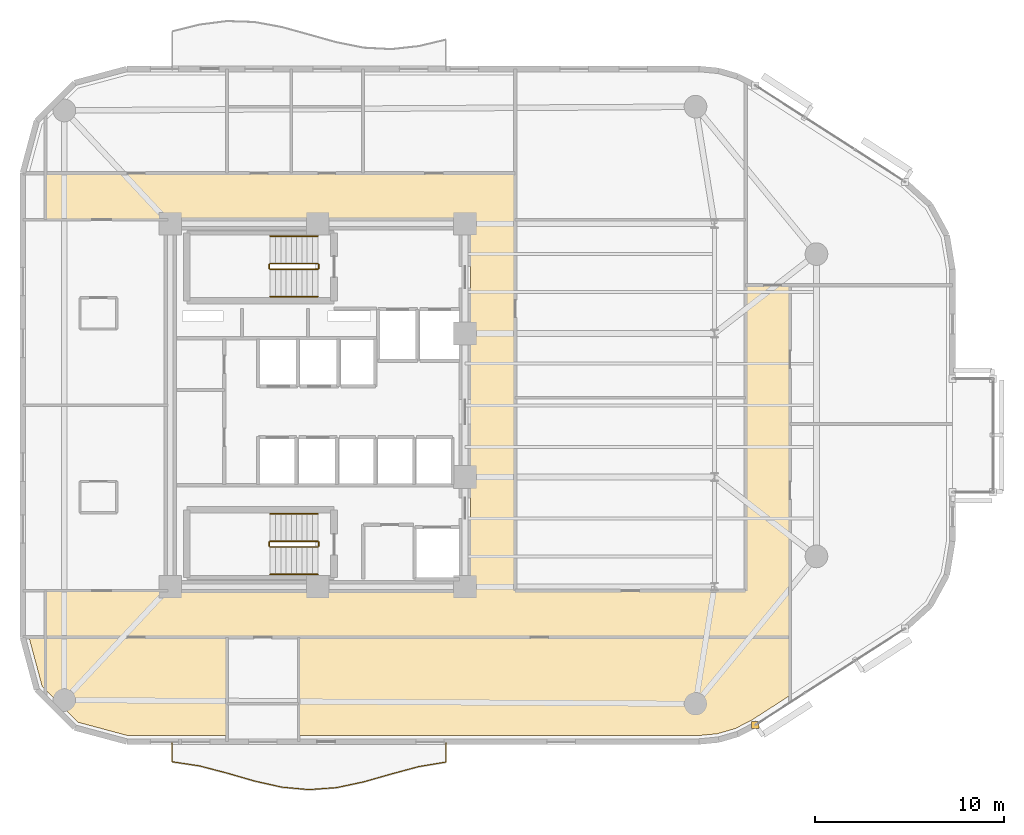
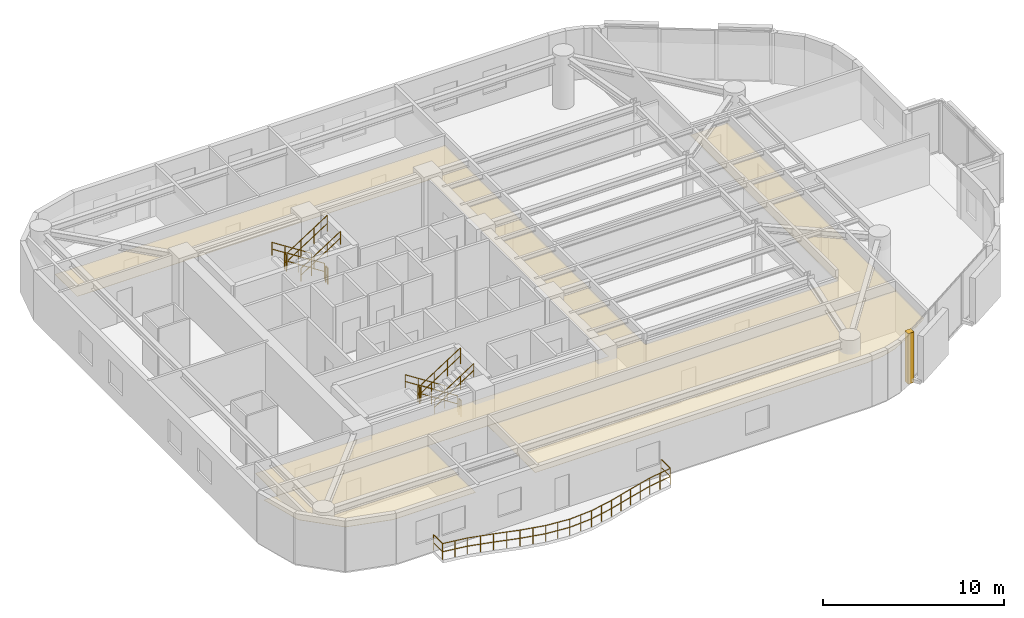
# One storey, part 15 of 16: 13 railings, 4 coverings.
"""IFC4 building model written with IfcOpenShell, lengths in metres."""

from ifc_helpers import new_model, si_unit, direction, frame, origin, origin_2d, place, context, subcontext, project, spatial, polyline, rectangle, circle, outline, extrude, material, layer, layer_set, type_object, element, save


model = new_model("IFC4")

# Units and contexts
model_context = context("Model", 3, precision=1e-05, world=origin(), true_north=direction((0.0, 1.0)))
body_context = subcontext(model_context, "Body", "Model", "MODEL_VIEW")
ifc_project = project(units=[si_unit("LENGTHUNIT", "METRE"), si_unit("AREAUNIT", "SQUARE_METRE"), si_unit("VOLUMEUNIT", "CUBIC_METRE"), si_unit("PLANEANGLEUNIT", "RADIAN"), si_unit("MASSUNIT", "GRAM", prefix="KILO")], contexts=[model_context])

# Site, building, storey
site_placement = place(None, origin())
site = spatial("IfcSite", under=ifc_project, at=site_placement, CompositionType="ELEMENT")
building_placement = place(site_placement, origin())
building = spatial("IfcBuilding", under=site, at=building_placement, Name="An Khanh Terracotta Commons", CompositionType="ELEMENT")
storey_placement = place(building_placement, frame((0.0, 0.0, 172.60009765625)))
storey = spatial("IfcBuildingStorey", under=building, at=storey_placement, Name="L45", CompositionType="ELEMENT", Elevation=172.60009765625)

# Coverings
ifc_material_1 = material(Name="Perforated Mineral-Fibre Acoustic Tile")
ifc_layer_1 = layer(ifc_material_1, 0.02001953125, Name="Perforated Mineral-Fibre Acoustic Tile")
ifc_layer_set_1 = layer_set([ifc_layer_1], Name="Perforated Mineral-Fibre Acoustic Tile")
covering_type_1 = type_object("IfcCoveringType", Name="CEIL-ACOUSTIC-18", PredefinedType="CEILING", material=ifc_layer_set_1)
covering_1_placement = place(storey_placement, frame((0.0, 0.0, 2.64990234375)))
element("IfcCovering", 1, at=covering_1_placement, inside=storey, type_object=covering_type_1, Name="L45 Corridor Ceiling", PredefinedType="CEILING", context=body_context, shape_type="SweptSolid", body=[
    extrude(outline(polyline([(52.050048828125, 30.35009765625), (54.39990234375, 30.35009765625), (54.39990234375, 14.179931640625), (54.39990234375, 11.719970703125), (52.050048828125, 11.719970703125), (39.85009765625, 11.719970703125), (37.5, 11.719970703125), (15.0, 11.719970703125), (15.0, 14.179931640625), (37.5, 14.179931640625), (37.5, 33.820068359375), (15.0, 33.820068359375), (15.0, 36.280029296875), (37.5, 36.280029296875), (39.85009765625, 36.280029296875), (39.85009765625, 33.820068359375), (39.85009765625, 14.179931640625), (52.050048828125, 14.179931640625), (52.050048828125, 30.35009765625)])), origin(), (0.0, 0.0, 1.0), 0.02001953125),
])
covering_2_placement = place(storey_placement, frame((0.0, 0.0, 2.64990234375)))
element("IfcCovering", 2, at=covering_2_placement, inside=storey, type_object=covering_type_1, Name="L45 Academic Seminar Room Ceiling", PredefinedType="CEILING", context=body_context, shape_type="SweptSolid", body=[
    extrude(outline(polyline([(19.342041015625, 6.52001953125), (16.716064453125, 7.22412109375), (14.823974609375, 9.115966796875), (14.1259765625, 11.719970703125), (15.0, 11.719970703125), (24.60009765625, 11.719970703125), (24.60009765625, 8.199951171875), (24.60009765625, 6.52001953125), (19.342041015625, 6.52001953125)])), origin(), (0.0, 0.0, 1.0), 0.02001953125),
])
covering_3_placement = place(storey_placement, frame((0.0, 0.0, 2.64990234375)))
element("IfcCovering", 3, at=covering_3_placement, inside=storey, type_object=covering_type_1, Name="L45 Academic Seminar Room Ceiling", PredefinedType="CEILING", context=body_context, shape_type="SweptSolid", body=[
    extrude(outline(polyline([(52.39892578125, 7.35302734375), (51.510009765625, 6.89306640625), (50.56396484375, 6.615966796875), (49.56689453125, 6.52001953125), (28.39990234375, 6.52001953125), (28.39990234375, 8.199951171875), (28.39990234375, 11.719970703125), (37.5, 11.719970703125), (39.85009765625, 11.719970703125), (52.050048828125, 11.719970703125), (54.39990234375, 11.719970703125), (54.39990234375, 8.64208984375), (52.39892578125, 7.35302734375)])), origin(), (0.0, 0.0, 1.0), 0.02001953125),
])
ifc_material_2 = material(Name="Fired Terracotta Rainscreen Cladding", Category="masonry")
ifc_layer_2 = layer(ifc_material_2, 0.080078125, Name="Fired Terracotta Rainscreen Cladding")
ifc_layer_set_2 = layer_set([ifc_layer_2], Name="Fired Terracotta Rainscreen Cladding")
covering_type_2 = type_object("IfcCoveringType", Name="COV-JAMB-TERRA", PredefinedType="CLADDING", material=ifc_layer_set_2)
covering_4_placement = place(storey_placement, frame((52.56005859375, 7.075927734375, 0.0), z_axis=(0.0, 0.0, 1.0), x_axis=(1.0, 0.0, 0.0)))
element("IfcCovering", 4, at=covering_4_placement, inside=storey, type_object=covering_type_2, Name="L45 CW-03 Curtain-Wall Jamb Closure JA", PredefinedType="CLADDING", context=body_context, shape_type="SweptSolid", body=[
    extrude(rectangle(XDim=0.3798828125, YDim=0.3798828125, at=origin_2d()), origin(), (0.0, 0.0, 1.0), 3.39990234375),
])

# Railings
ifc_material_3 = material(Name="Brushed Stainless Steel 316", Category="steel")
railing_type_1 = type_object("IfcRailingType", Name="RAIL-BALUSTRADE-1100", PredefinedType="BALUSTRADE", material=ifc_material_3)
railing_1_placement = place(storey_placement, frame((21.699951171875, 6.139892578125, 0.0)))
element("IfcRailing", 5, at=railing_1_placement, inside=storey, type_object=railing_type_1, Name="L45 S Wave Balcony Guard Balustrade", PredefinedType="BALUSTRADE", context=body_context, shape_type="SweptSolid", body=[
    extrude(circle(Radius=0.02392578125, at=origin_2d()), frame((0.0, 0.0, 1.076171875), z_axis=(0.0, -1.0, 0.0), x_axis=(1.0, 0.0, 0.0)), (0.0, 0.0, 1.0), 1.005859375),
    extrude(circle(Radius=0.02392578125, at=origin_2d()), frame((0.0, 0.0, 0.52587890625), z_axis=(0.0, -1.0, 0.0), x_axis=(1.0, 0.0, 0.0)), (0.0, 0.0, 1.0), 1.005859375),
    extrude(circle(Radius=0.02392578125, at=origin_2d()), frame((0.0, -1.005859375, 1.076171875), z_axis=(0.988785638282, -0.149341760825, 0.0), x_axis=(0.149341760825, 0.988785638282, 0.0)), (0.0, 0.0, 1.0), 1.46630859375),
    extrude(circle(Radius=0.02392578125, at=origin_2d()), frame((0.0, -1.005859375, 0.52587890625), z_axis=(0.988785638282, -0.149341760825, 0.0), x_axis=(0.149341760825, 0.988785638282, 0.0)), (0.0, 0.0, 1.0), 1.46630859375),
    extrude(circle(Radius=0.02392578125, at=origin_2d()), frame((1.449951171875, -1.224853515625, 1.076171875), z_axis=(0.967679523203, -0.252183148471, 0.0), x_axis=(0.252183148471, 0.967679523203, 0.0)), (0.0, 0.0, 1.0), 1.49853515625),
    extrude(circle(Radius=0.02392578125, at=origin_2d()), frame((1.449951171875, -1.224853515625, 0.52587890625), z_axis=(0.967679523203, -0.252183148471, 0.0), x_axis=(0.252183148471, 0.967679523203, 0.0)), (0.0, 0.0, 1.0), 1.49853515625),
    extrude(circle(Radius=0.02392578125, at=origin_2d()), frame((2.900146484375, -1.602783203125, 1.076171875), z_axis=(0.960658574366, -0.277732071424, 0.0), x_axis=(0.277732071424, 0.960658574366, 0.0)), (0.0, 0.0, 1.0), 1.50927734375),
    extrude(circle(Radius=0.02392578125, at=origin_2d()), frame((2.900146484375, -1.602783203125, 0.52587890625), z_axis=(0.960658574366, -0.277732071424, 0.0), x_axis=(0.277732071424, 0.960658574366, 0.0)), (0.0, 0.0, 1.0), 1.50927734375),
    extrude(circle(Radius=0.02392578125, at=origin_2d()), frame((4.35009765625, -2.02197265625, 1.076171875), z_axis=(0.975654592471, -0.219312827235, 0.0), x_axis=(0.219312827235, 0.975654592471, 0.0)), (0.0, 0.0, 1.0), 1.486083984375),
    extrude(circle(Radius=0.02392578125, at=origin_2d()), frame((4.35009765625, -2.02197265625, 0.52587890625), z_axis=(0.975654592471, -0.219312827235, 0.0), x_axis=(0.219312827235, 0.975654592471, 0.0)), (0.0, 0.0, 1.0), 1.486083984375),
    extrude(circle(Radius=0.02392578125, at=origin_2d()), frame((5.800048828125, -2.347900390625, 1.076171875), z_axis=(0.99587669641, -0.090717173389, 0.0), x_axis=(0.090717173389, 0.99587669641, 0.0)), (0.0, 0.0, 1.0), 1.4560546875),
    extrude(circle(Radius=0.02392578125, at=origin_2d()), frame((5.800048828125, -2.347900390625, 0.52587890625), z_axis=(0.99587669641, -0.090717173389, 0.0), x_axis=(0.090717173389, 0.99587669641, 0.0)), (0.0, 0.0, 1.0), 1.4560546875),
    extrude(circle(Radius=0.02392578125, at=origin_2d()), frame((7.25, -2.47998046875, 1.076171875), z_axis=(0.997389180348, 0.072213730855, 0.0), x_axis=(-0.072213730855, 0.997389180348, 0.0)), (0.0, 0.0, 1.0), 1.453857421875),
    extrude(circle(Radius=0.02392578125, at=origin_2d()), frame((7.25, -2.47998046875, 0.52587890625), z_axis=(0.997389180348, 0.072213730855, 0.0), x_axis=(-0.072213730855, 0.997389180348, 0.0)), (0.0, 0.0, 1.0), 1.453857421875),
    extrude(circle(Radius=0.02392578125, at=origin_2d()), frame((8.699951171875, -2.375, 1.076171875), z_axis=(0.978033134258, 0.20844948619, 0.0), x_axis=(-0.20844948619, 0.978033134258, 0.0)), (0.0, 0.0, 1.0), 1.482666015625),
    extrude(circle(Radius=0.02392578125, at=origin_2d()), frame((8.699951171875, -2.375, 0.52587890625), z_axis=(0.978033134258, 0.20844948619, 0.0), x_axis=(-0.20844948619, 0.978033134258, 0.0)), (0.0, 0.0, 1.0), 1.482666015625),
    extrude(circle(Radius=0.02392578125, at=origin_2d()), frame((10.150146484375, -2.06591796875, 1.076171875), z_axis=(0.961560597076, 0.274592822469, 0.0), x_axis=(-0.274592822469, 0.961560597076, 0.0)), (0.0, 0.0, 1.0), 1.5078125),
    extrude(circle(Radius=0.02392578125, at=origin_2d()), frame((10.150146484375, -2.06591796875, 0.52587890625), z_axis=(0.961560597076, 0.274592822469, 0.0), x_axis=(-0.274592822469, 0.961560597076, 0.0)), (0.0, 0.0, 1.0), 1.5078125),
    extrude(circle(Radius=0.02392578125, at=origin_2d()), frame((11.60009765625, -1.65185546875, 1.076171875), z_axis=(0.965695780399, 0.259676066896, 0.0), x_axis=(-0.259676066896, 0.965695780399, 0.0)), (0.0, 0.0, 1.0), 1.50146484375),
    extrude(circle(Radius=0.02392578125, at=origin_2d()), frame((11.60009765625, -1.65185546875, 0.52587890625), z_axis=(0.965695780399, 0.259676066896, 0.0), x_axis=(-0.259676066896, 0.965695780399, 0.0)), (0.0, 0.0, 1.0), 1.50146484375),
    extrude(circle(Radius=0.02392578125, at=origin_2d()), frame((13.050048828125, -1.261962890625, 1.076171875), z_axis=(0.986335510071, 0.164749086713, 0.0), x_axis=(-0.164749086713, 0.986335510071, 0.0)), (0.0, 0.0, 1.0), 1.469970703125),
    extrude(circle(Radius=0.02392578125, at=origin_2d()), frame((13.050048828125, -1.261962890625, 0.52587890625), z_axis=(0.986335510071, 0.164749086713, 0.0), x_axis=(-0.164749086713, 0.986335510071, 0.0)), (0.0, 0.0, 1.0), 1.469970703125),
    extrude(circle(Radius=0.02392578125, at=origin_2d()), frame((14.5, -1.019775390625, 1.076171875), z_axis=(0.0, 1.0, 0.0), x_axis=(-1.0, 0.0, 0.0)), (0.0, 0.0, 1.0), 1.019775390625),
    extrude(circle(Radius=0.02392578125, at=origin_2d()), frame((14.5, -1.019775390625, 0.52587890625), z_axis=(0.0, 1.0, 0.0), x_axis=(-1.0, 0.0, 0.0)), (0.0, 0.0, 1.0), 1.019775390625),
    extrude(circle(Radius=0.02099609375, at=origin_2d()), origin(), (0.0, 0.0, 1.0), 1.052001953125),
    extrude(circle(Radius=0.02099609375, at=origin_2d()), frame((0.0, -1.005859375, 0.0)), (0.0, 0.0, 1.0), 1.052001953125),
    extrude(circle(Radius=0.02099609375, at=origin_2d()), frame((0.72509765625, -1.115234375, 0.0)), (0.0, 0.0, 1.0), 1.052001953125),
    extrude(circle(Radius=0.02099609375, at=origin_2d()), frame((1.449951171875, -1.224853515625, 0.0)), (0.0, 0.0, 1.0), 1.052001953125),
    extrude(circle(Radius=0.02099609375, at=origin_2d()), frame((2.175048828125, -1.413818359375, 0.0)), (0.0, 0.0, 1.0), 1.052001953125),
    extrude(circle(Radius=0.02099609375, at=origin_2d()), frame((2.900146484375, -1.602783203125, 0.0)), (0.0, 0.0, 1.0), 1.052001953125),
    extrude(circle(Radius=0.02099609375, at=origin_2d()), frame((3.625, -1.8125, 0.0)), (0.0, 0.0, 1.0), 1.052001953125),
    extrude(circle(Radius=0.02099609375, at=origin_2d()), frame((4.35009765625, -2.02197265625, 0.0)), (0.0, 0.0, 1.0), 1.052001953125),
    extrude(circle(Radius=0.02099609375, at=origin_2d()), frame((5.0751953125, -2.18505859375, 0.0)), (0.0, 0.0, 1.0), 1.052001953125),
    extrude(circle(Radius=0.02099609375, at=origin_2d()), frame((5.800048828125, -2.347900390625, 0.0)), (0.0, 0.0, 1.0), 1.052001953125),
    extrude(circle(Radius=0.02099609375, at=origin_2d()), frame((6.52490234375, -2.4140625, 0.0)), (0.0, 0.0, 1.0), 1.052001953125),
    extrude(circle(Radius=0.02099609375, at=origin_2d()), frame((7.25, -2.47998046875, 0.0)), (0.0, 0.0, 1.0), 1.052001953125),
    extrude(circle(Radius=0.02099609375, at=origin_2d()), frame((7.97509765625, -2.427490234375, 0.0)), (0.0, 0.0, 1.0), 1.052001953125),
    extrude(circle(Radius=0.02099609375, at=origin_2d()), frame((8.699951171875, -2.375, 0.0)), (0.0, 0.0, 1.0), 1.052001953125),
    extrude(circle(Radius=0.02099609375, at=origin_2d()), frame((9.425048828125, -2.220458984375, 0.0)), (0.0, 0.0, 1.0), 1.052001953125),
    extrude(circle(Radius=0.02099609375, at=origin_2d()), frame((10.150146484375, -2.06591796875, 0.0)), (0.0, 0.0, 1.0), 1.052001953125),
    extrude(circle(Radius=0.02099609375, at=origin_2d()), frame((10.875, -1.85888671875, 0.0)), (0.0, 0.0, 1.0), 1.052001953125),
    extrude(circle(Radius=0.02099609375, at=origin_2d()), frame((11.60009765625, -1.65185546875, 0.0)), (0.0, 0.0, 1.0), 1.052001953125),
    extrude(circle(Radius=0.02099609375, at=origin_2d()), frame((12.3251953125, -1.45703125, 0.0)), (0.0, 0.0, 1.0), 1.052001953125),
    extrude(circle(Radius=0.02099609375, at=origin_2d()), frame((13.050048828125, -1.261962890625, 0.0)), (0.0, 0.0, 1.0), 1.052001953125),
    extrude(circle(Radius=0.02099609375, at=origin_2d()), frame((13.77490234375, -1.140869140625, 0.0)), (0.0, 0.0, 1.0), 1.052001953125),
    extrude(circle(Radius=0.02099609375, at=origin_2d()), frame((14.5, -1.019775390625, 0.0)), (0.0, 0.0, 1.0), 1.052001953125),
    extrude(circle(Radius=0.02099609375, at=origin_2d()), frame((14.5, 0.0, 0.0)), (0.0, 0.0, 1.0), 1.052001953125),
])
railing_type_2 = type_object("IfcRailingType", Name="RAIL-HANDRAIL-900", PredefinedType="HANDRAIL", material=ifc_material_3)
railing_2_placement = place(storey_placement, frame((29.409912109375, 32.949951171875, 0.179931640625)))
element("IfcRailing", 6, at=railing_2_placement, inside=storey, type_object=railing_type_2, Name="L45 ST-01 stair handrail 1", PredefinedType="HANDRAIL", context=body_context, shape_type="SweptSolid", body=[
    extrude(circle(Radius=0.02392578125, at=origin_2d()), frame((0.0, 0.0, 0.8759765625), z_axis=(-0.841199657755, 0.0, 0.540724639528), x_axis=(0.0, -1.0, 0.0)), (0.0, 0.0, 1.0), 2.995849609375),
    extrude(circle(Radius=0.02392578125, at=origin_2d()), frame((0.0, 0.0, 0.42578125), z_axis=(-0.841199657755, 0.0, 0.540724639528), x_axis=(0.0, -1.0, 0.0)), (0.0, 0.0, 1.0), 2.995849609375),
    extrude(circle(Radius=0.02099609375, at=origin_2d()), origin(), (0.0, 0.0, 1.0), 0.851806640625),
    extrude(circle(Radius=0.02099609375, at=origin_2d()), frame((-0.840087890625, 0.0, 0.5400390625)), (0.0, 0.0, 1.0), 0.851806640625),
    extrude(circle(Radius=0.02099609375, at=origin_2d()), frame((-1.679931640625, 0.0, 1.079833984375)), (0.0, 0.0, 1.0), 0.851806640625),
    extrude(circle(Radius=0.02099609375, at=origin_2d()), frame((-2.52001953125, 0.0, 1.619873046875)), (0.0, 0.0, 1.0), 0.851806640625),
])
railing_3_placement = place(storey_placement, frame((26.889892578125, 29.75, 1.97998046875)))
element("IfcRailing", 7, at=railing_3_placement, inside=storey, type_object=railing_type_2, Name="L45 ST-01 stair handrail 2", PredefinedType="HANDRAIL", context=body_context, shape_type="SweptSolid", body=[
    extrude(circle(Radius=0.02392578125, at=origin_2d()), frame((0.0, 0.0, 0.8759765625), z_axis=(0.841199657755, 0.0, 0.540724639528), x_axis=(0.0, 1.0, 0.0)), (0.0, 0.0, 1.0), 2.995849609375),
    extrude(circle(Radius=0.02392578125, at=origin_2d()), frame((0.0, 0.0, 0.42578125), z_axis=(0.841199657755, 0.0, 0.540724639528), x_axis=(0.0, 1.0, 0.0)), (0.0, 0.0, 1.0), 2.995849609375),
    extrude(circle(Radius=0.02099609375, at=origin_2d()), origin(), (0.0, 0.0, 1.0), 0.851806640625),
    extrude(circle(Radius=0.02099609375, at=origin_2d()), frame((0.840087890625, 0.0, 0.5400390625)), (0.0, 0.0, 1.0), 0.851806640625),
    extrude(circle(Radius=0.02099609375, at=origin_2d()), frame((1.679931640625, 0.0, 1.079833984375)), (0.0, 0.0, 1.0), 0.851806640625),
    extrude(circle(Radius=0.02099609375, at=origin_2d()), frame((2.52001953125, 0.0, 1.619873046875)), (0.0, 0.0, 1.0), 0.851806640625),
])
railing_4_placement = place(storey_placement, frame((29.409912109375, 18.25, 0.179931640625)))
element("IfcRailing", 8, at=railing_4_placement, inside=storey, type_object=railing_type_2, Name="L45 ST-02 stair handrail 1", PredefinedType="HANDRAIL", context=body_context, shape_type="SweptSolid", body=[
    extrude(circle(Radius=0.02392578125, at=origin_2d()), frame((0.0, 0.0, 0.8759765625), z_axis=(-0.841199657755, 0.0, 0.540724639528), x_axis=(0.0, -1.0, 0.0)), (0.0, 0.0, 1.0), 2.995849609375),
    extrude(circle(Radius=0.02392578125, at=origin_2d()), frame((0.0, 0.0, 0.42578125), z_axis=(-0.841199657755, 0.0, 0.540724639528), x_axis=(0.0, -1.0, 0.0)), (0.0, 0.0, 1.0), 2.995849609375),
    extrude(circle(Radius=0.02099609375, at=origin_2d()), origin(), (0.0, 0.0, 1.0), 0.851806640625),
    extrude(circle(Radius=0.02099609375, at=origin_2d()), frame((-0.840087890625, 0.0, 0.5400390625)), (0.0, 0.0, 1.0), 0.851806640625),
    extrude(circle(Radius=0.02099609375, at=origin_2d()), frame((-1.679931640625, 0.0, 1.079833984375)), (0.0, 0.0, 1.0), 0.851806640625),
    extrude(circle(Radius=0.02099609375, at=origin_2d()), frame((-2.52001953125, 0.0, 1.619873046875)), (0.0, 0.0, 1.0), 0.851806640625),
])
railing_5_placement = place(storey_placement, frame((26.889892578125, 15.050048828125, 1.97998046875)))
element("IfcRailing", 9, at=railing_5_placement, inside=storey, type_object=railing_type_2, Name="L45 ST-02 stair handrail 2", PredefinedType="HANDRAIL", context=body_context, shape_type="SweptSolid", body=[
    extrude(circle(Radius=0.02392578125, at=origin_2d()), frame((0.0, 0.0, 0.8759765625), z_axis=(0.841199657755, 0.0, 0.540724639528), x_axis=(0.0, 1.0, 0.0)), (0.0, 0.0, 1.0), 2.995849609375),
    extrude(circle(Radius=0.02392578125, at=origin_2d()), frame((0.0, 0.0, 0.42578125), z_axis=(0.841199657755, 0.0, 0.540724639528), x_axis=(0.0, 1.0, 0.0)), (0.0, 0.0, 1.0), 2.995849609375),
    extrude(circle(Radius=0.02099609375, at=origin_2d()), origin(), (0.0, 0.0, 1.0), 0.851806640625),
    extrude(circle(Radius=0.02099609375, at=origin_2d()), frame((0.840087890625, 0.0, 0.5400390625)), (0.0, 0.0, 1.0), 0.851806640625),
    extrude(circle(Radius=0.02099609375, at=origin_2d()), frame((1.679931640625, 0.0, 1.079833984375)), (0.0, 0.0, 1.0), 0.851806640625),
    extrude(circle(Radius=0.02099609375, at=origin_2d()), frame((2.52001953125, 0.0, 1.619873046875)), (0.0, 0.0, 1.0), 0.851806640625),
])
ifc_material_4 = material(Name="Powder-Coated Steel S355J2", Category="steel")
railing_type_3 = type_object("IfcRailingType", Name="RAIL-STAIR-GUARD-1100", PredefinedType="BALUSTRADE", material=ifc_material_4)
railing_6_placement = place(storey_placement, frame((29.409912109375, 31.5, 0.179931640625)))
element("IfcRailing", 10, at=railing_6_placement, inside=storey, type_object=railing_type_3, Name="L45 ST-01 stair guard 1", PredefinedType="BALUSTRADE", context=body_context, shape_type="SweptSolid", body=[
    extrude(circle(Radius=0.02392578125, at=origin_2d()), frame((0.0, 0.0, 1.076171875), z_axis=(-0.841199657755, 0.0, 0.540724639528), x_axis=(0.0, -1.0, 0.0)), (0.0, 0.0, 1.0), 2.995849609375),
    extrude(circle(Radius=0.02392578125, at=origin_2d()), frame((0.0, 0.0, 0.52587890625), z_axis=(-0.841199657755, 0.0, 0.540724639528), x_axis=(0.0, -1.0, 0.0)), (0.0, 0.0, 1.0), 2.995849609375),
    extrude(circle(Radius=0.02099609375, at=origin_2d()), origin(), (0.0, 0.0, 1.0), 1.052001953125),
    extrude(circle(Radius=0.02099609375, at=origin_2d()), frame((-0.840087890625, 0.0, 0.5400390625)), (0.0, 0.0, 1.0), 1.052001953125),
    extrude(circle(Radius=0.02099609375, at=origin_2d()), frame((-1.679931640625, 0.0, 1.079833984375)), (0.0, 0.0, 1.0), 1.052001953125),
    extrude(circle(Radius=0.02099609375, at=origin_2d()), frame((-2.52001953125, 0.0, 1.619873046875)), (0.0, 0.0, 1.0), 1.052001953125),
])
railing_7_placement = place(storey_placement, frame((26.840087890625, 31.449951171875, 1.7998046875)))
element("IfcRailing", 11, at=railing_7_placement, inside=storey, type_object=railing_type_3, Name="L45 ST-01 stair guard 2", PredefinedType="BALUSTRADE", context=body_context, shape_type="SweptSolid", body=[
    extrude(circle(Radius=0.02392578125, at=origin_2d()), frame((0.0, 0.0, 1.076171875), z_axis=(0.0, -1.0, 0.0), x_axis=(1.0, 0.0, 0.0)), (0.0, 0.0, 1.0), 0.199951171875),
    extrude(circle(Radius=0.02392578125, at=origin_2d()), frame((0.0, 0.0, 0.52587890625), z_axis=(0.0, -1.0, 0.0), x_axis=(1.0, 0.0, 0.0)), (0.0, 0.0, 1.0), 0.199951171875),
    extrude(circle(Radius=0.02099609375, at=origin_2d()), origin(), (0.0, 0.0, 1.0), 1.052001953125),
    extrude(circle(Radius=0.02099609375, at=origin_2d()), frame((0.0, -0.199951171875, 0.0)), (0.0, 0.0, 1.0), 1.052001953125),
])
railing_8_placement = place(storey_placement, frame((26.889892578125, 31.199951171875, 1.97998046875)))
element("IfcRailing", 12, at=railing_8_placement, inside=storey, type_object=railing_type_3, Name="L45 ST-01 stair guard 3", PredefinedType="BALUSTRADE", context=body_context, shape_type="SweptSolid", body=[
    extrude(circle(Radius=0.02392578125, at=origin_2d()), frame((0.0, 0.0, 1.076171875), z_axis=(0.841199657755, 0.0, 0.540724639528), x_axis=(0.0, 1.0, 0.0)), (0.0, 0.0, 1.0), 2.995849609375),
    extrude(circle(Radius=0.02392578125, at=origin_2d()), frame((0.0, 0.0, 0.52587890625), z_axis=(0.841199657755, 0.0, 0.540724639528), x_axis=(0.0, 1.0, 0.0)), (0.0, 0.0, 1.0), 2.995849609375),
    extrude(circle(Radius=0.02099609375, at=origin_2d()), origin(), (0.0, 0.0, 1.0), 1.052001953125),
    extrude(circle(Radius=0.02099609375, at=origin_2d()), frame((0.840087890625, 0.0, 0.5400390625)), (0.0, 0.0, 1.0), 1.052001953125),
    extrude(circle(Radius=0.02099609375, at=origin_2d()), frame((1.679931640625, 0.0, 1.079833984375)), (0.0, 0.0, 1.0), 1.052001953125),
    extrude(circle(Radius=0.02099609375, at=origin_2d()), frame((2.52001953125, 0.0, 1.619873046875)), (0.0, 0.0, 1.0), 1.052001953125),
])
railing_9_placement = place(storey_placement, frame((29.4599609375, 31.449951171875, 0.0)))
element("IfcRailing", 13, at=railing_9_placement, inside=storey, type_object=railing_type_3, Name="L45 ST-01 stair guard 4", PredefinedType="BALUSTRADE", context=body_context, shape_type="SweptSolid", body=[
    extrude(circle(Radius=0.02392578125, at=origin_2d()), frame((0.0, 0.0, 1.076171875), z_axis=(0.0, -1.0, 0.0), x_axis=(1.0, 0.0, 0.0)), (0.0, 0.0, 1.0), 0.199951171875),
    extrude(circle(Radius=0.02392578125, at=origin_2d()), frame((0.0, 0.0, 0.52587890625), z_axis=(0.0, -1.0, 0.0), x_axis=(1.0, 0.0, 0.0)), (0.0, 0.0, 1.0), 0.199951171875),
    extrude(circle(Radius=0.02099609375, at=origin_2d()), origin(), (0.0, 0.0, 1.0), 1.052001953125),
    extrude(circle(Radius=0.02099609375, at=origin_2d()), frame((0.0, -0.199951171875, 0.0)), (0.0, 0.0, 1.0), 1.052001953125),
])
railing_10_placement = place(storey_placement, frame((29.409912109375, 16.800048828125, 0.179931640625)))
element("IfcRailing", 14, at=railing_10_placement, inside=storey, type_object=railing_type_3, Name="L45 ST-02 stair guard 1", PredefinedType="BALUSTRADE", context=body_context, shape_type="SweptSolid", body=[
    extrude(circle(Radius=0.02392578125, at=origin_2d()), frame((0.0, 0.0, 1.076171875), z_axis=(-0.841199657755, 0.0, 0.540724639528), x_axis=(0.0, -1.0, 0.0)), (0.0, 0.0, 1.0), 2.995849609375),
    extrude(circle(Radius=0.02392578125, at=origin_2d()), frame((0.0, 0.0, 0.52587890625), z_axis=(-0.841199657755, 0.0, 0.540724639528), x_axis=(0.0, -1.0, 0.0)), (0.0, 0.0, 1.0), 2.995849609375),
    extrude(circle(Radius=0.02099609375, at=origin_2d()), origin(), (0.0, 0.0, 1.0), 1.052001953125),
    extrude(circle(Radius=0.02099609375, at=origin_2d()), frame((-0.840087890625, 0.0, 0.5400390625)), (0.0, 0.0, 1.0), 1.052001953125),
    extrude(circle(Radius=0.02099609375, at=origin_2d()), frame((-1.679931640625, 0.0, 1.079833984375)), (0.0, 0.0, 1.0), 1.052001953125),
    extrude(circle(Radius=0.02099609375, at=origin_2d()), frame((-2.52001953125, 0.0, 1.619873046875)), (0.0, 0.0, 1.0), 1.052001953125),
])
railing_11_placement = place(storey_placement, frame((26.840087890625, 16.75, 1.7998046875)))
element("IfcRailing", 15, at=railing_11_placement, inside=storey, type_object=railing_type_3, Name="L45 ST-02 stair guard 2", PredefinedType="BALUSTRADE", context=body_context, shape_type="SweptSolid", body=[
    extrude(circle(Radius=0.02392578125, at=origin_2d()), frame((0.0, 0.0, 1.076171875), z_axis=(0.0, -1.0, 0.0), x_axis=(1.0, 0.0, 0.0)), (0.0, 0.0, 1.0), 0.199951171875),
    extrude(circle(Radius=0.02392578125, at=origin_2d()), frame((0.0, 0.0, 0.52587890625), z_axis=(0.0, -1.0, 0.0), x_axis=(1.0, 0.0, 0.0)), (0.0, 0.0, 1.0), 0.199951171875),
    extrude(circle(Radius=0.02099609375, at=origin_2d()), origin(), (0.0, 0.0, 1.0), 1.052001953125),
    extrude(circle(Radius=0.02099609375, at=origin_2d()), frame((0.0, -0.199951171875, 0.0)), (0.0, 0.0, 1.0), 1.052001953125),
])
railing_12_placement = place(storey_placement, frame((26.889892578125, 16.5, 1.97998046875)))
element("IfcRailing", 16, at=railing_12_placement, inside=storey, type_object=railing_type_3, Name="L45 ST-02 stair guard 3", PredefinedType="BALUSTRADE", context=body_context, shape_type="SweptSolid", body=[
    extrude(circle(Radius=0.02392578125, at=origin_2d()), frame((0.0, 0.0, 1.076171875), z_axis=(0.841199657755, 0.0, 0.540724639528), x_axis=(0.0, 1.0, 0.0)), (0.0, 0.0, 1.0), 2.995849609375),
    extrude(circle(Radius=0.02392578125, at=origin_2d()), frame((0.0, 0.0, 0.52587890625), z_axis=(0.841199657755, 0.0, 0.540724639528), x_axis=(0.0, 1.0, 0.0)), (0.0, 0.0, 1.0), 2.995849609375),
    extrude(circle(Radius=0.02099609375, at=origin_2d()), origin(), (0.0, 0.0, 1.0), 1.052001953125),
    extrude(circle(Radius=0.02099609375, at=origin_2d()), frame((0.840087890625, 0.0, 0.5400390625)), (0.0, 0.0, 1.0), 1.052001953125),
    extrude(circle(Radius=0.02099609375, at=origin_2d()), frame((1.679931640625, 0.0, 1.079833984375)), (0.0, 0.0, 1.0), 1.052001953125),
    extrude(circle(Radius=0.02099609375, at=origin_2d()), frame((2.52001953125, 0.0, 1.619873046875)), (0.0, 0.0, 1.0), 1.052001953125),
])
railing_13_placement = place(storey_placement, frame((29.4599609375, 16.75, 0.0)))
element("IfcRailing", 17, at=railing_13_placement, inside=storey, type_object=railing_type_3, Name="L45 ST-02 stair guard 4", PredefinedType="BALUSTRADE", context=body_context, shape_type="SweptSolid", body=[
    extrude(circle(Radius=0.02392578125, at=origin_2d()), frame((0.0, 0.0, 1.076171875), z_axis=(0.0, -1.0, 0.0), x_axis=(1.0, 0.0, 0.0)), (0.0, 0.0, 1.0), 0.199951171875),
    extrude(circle(Radius=0.02392578125, at=origin_2d()), frame((0.0, 0.0, 0.52587890625), z_axis=(0.0, -1.0, 0.0), x_axis=(1.0, 0.0, 0.0)), (0.0, 0.0, 1.0), 0.199951171875),
    extrude(circle(Radius=0.02099609375, at=origin_2d()), origin(), (0.0, 0.0, 1.0), 1.052001953125),
    extrude(circle(Radius=0.02099609375, at=origin_2d()), frame((0.0, -0.199951171875, 0.0)), (0.0, 0.0, 1.0), 1.052001953125),
])

save(model, "model.ifc")
